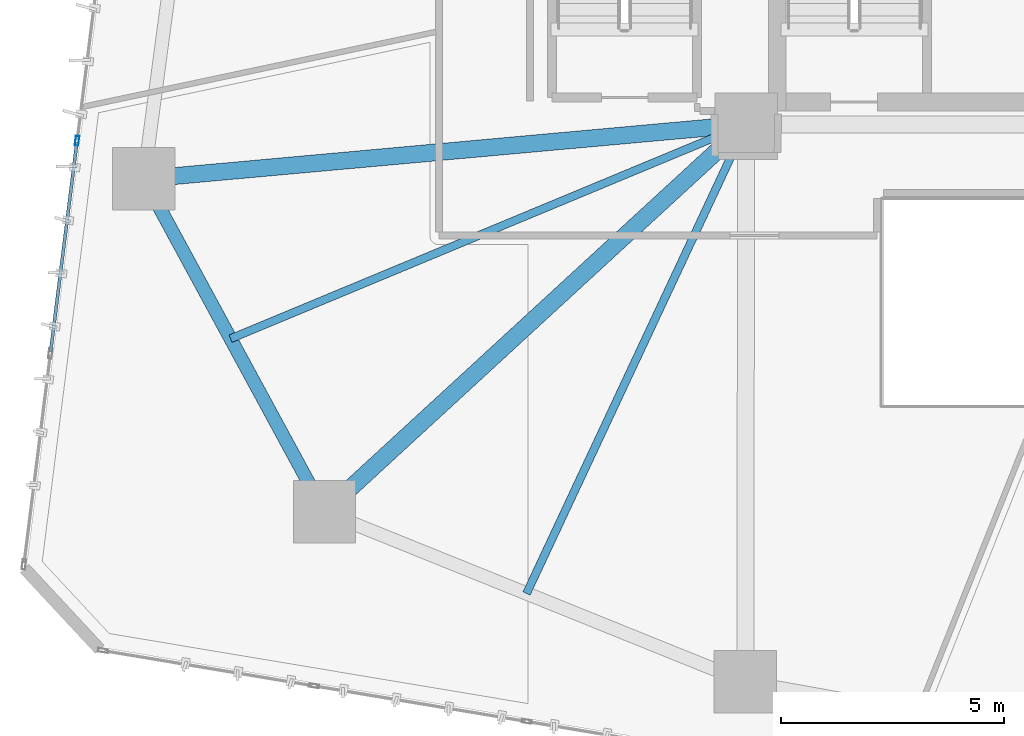
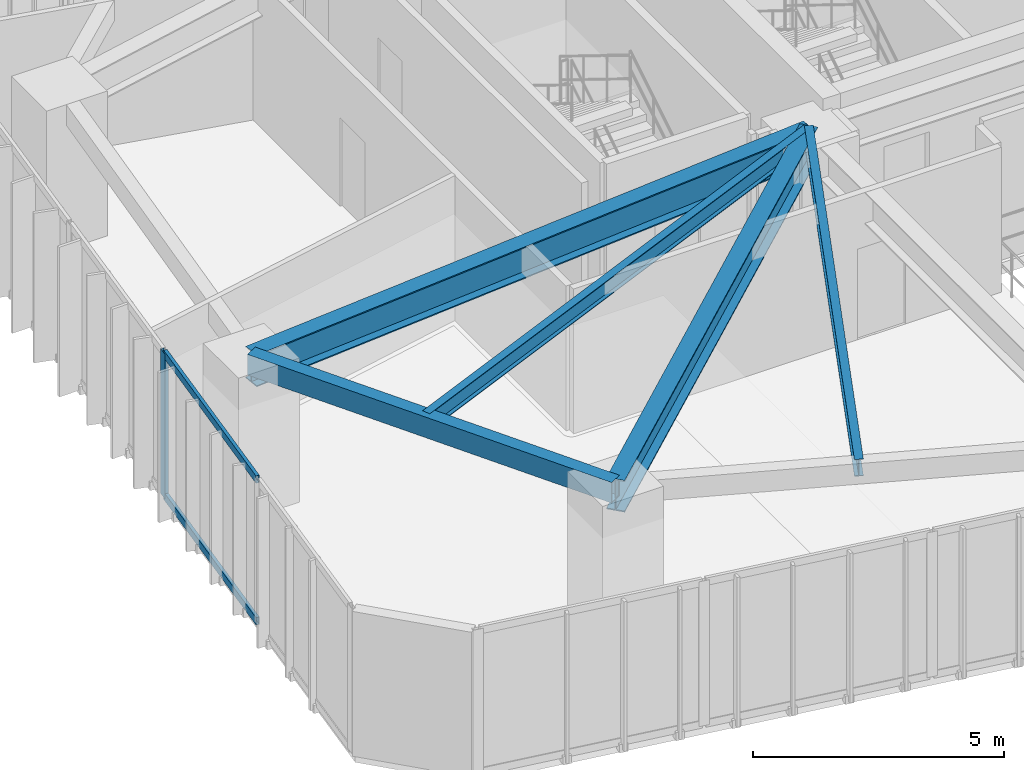
# One storey, part 3 of 21: 5 beams, 3 members, 1 element without a shape of its own.
"""IFC4 building model written with IfcOpenShell, lengths in metres."""

import ifcopenshell
import ifcopenshell.guid

model = None  # the IFC model being written
_history = None  # IfcOwnerHistory: only IFC2X3 demands one
_inside = {}  # id of a spatial element -> (the spatial element, [elements in it])
_under = {}  # id of a project, library or spatial element -> (it, [spatial elements below it])
_declared = {}  # id of a project -> (the project, [libraries it declares])
_typed = {}  # id of a type object -> (the type object, [elements of that type])
_made_of = {}  # id of a material, layer set ... -> (it, [elements and type objects made of it])


def new_model(schema):
    """Start an empty IFC model of exactly this schema.

    Asked for "IFC4X3", IfcOpenShell would pick the latest addendum, in which some entities
    have other attributes; the version numbers below select the first issue.
    IFC2X3 requires an IfcOwnerHistory on every rooted entity: one is made here for all.
    """
    global model, _history
    if schema == "IFC4X3":
        model = ifcopenshell.file(schema_version=(4, 3, 0, 0))
    else:
        model = ifcopenshell.file(schema=schema)
    _inside.clear()
    _under.clear()
    _declared.clear()
    _typed.clear()
    _made_of.clear()
    _history = None
    if model.schema == "IFC2X3":
        org = make("IfcOrganization", Name="unknown")
        user = make(
            "IfcPersonAndOrganization",
            ThePerson=make("IfcPerson", FamilyName="unknown"),
            TheOrganization=org,
        )
        app = make(
            "IfcApplication",
            ApplicationDeveloper=org,
            Version="unknown",
            ApplicationFullName="unknown",
            ApplicationIdentifier="unknown",
        )
        _history = make(
            "IfcOwnerHistory",
            OwningUser=user,
            OwningApplication=app,
            ChangeAction="ADDED",
            CreationDate=0,
        )
    return model


def make(cls, **values):
    """One entity of the class cls with the attributes given. An attribute that is None is left unset."""
    return model.create_entity(
        cls, **{name: value for name, value in values.items() if value is not None}
    )


def rooted(cls, **values):
    """An entity with a GlobalId (a new one), such as an element, a storey or a relation."""
    return make(cls, GlobalId=ifcopenshell.guid.new(), OwnerHistory=_history, **values)


def si_unit(unit_type, name, prefix=None):
    """IfcSIUnit, for example si_unit("LENGTHUNIT", "METRE", prefix="MILLI")."""
    return make("IfcSIUnit", UnitType=unit_type, Prefix=prefix, Name=name)


def assignment(units):
    """IfcUnitAssignment: the units of a project."""
    return None if units is None else make("IfcUnitAssignment", Units=units)


def point(xyz):
    """IfcCartesianPoint."""
    return None if xyz is None else make("IfcCartesianPoint", Coordinates=xyz)


def direction(xyz):
    """IfcDirection."""
    return None if xyz is None else make("IfcDirection", DirectionRatios=xyz)


def frame(location, z_axis=None, x_axis=None):
    """IfcAxis2Placement3D, a coordinate frame: its origin and axes. An axis left out is left unset."""
    return make(
        "IfcAxis2Placement3D",
        Location=point(location),
        Axis=direction(z_axis),
        RefDirection=direction(x_axis),
    )


def frame_2d(location, x_axis=None):
    """IfcAxis2Placement2D, a coordinate frame in the plane: its origin and x axis."""
    return make(
        "IfcAxis2Placement2D", Location=point(location), RefDirection=direction(x_axis)
    )


def origin():
    """The frame at (0, 0, 0) with its axes left unset."""
    return frame((0.0, 0.0, 0.0))


def origin_2d():
    """The frame at (0, 0) in the plane with its x axis left unset."""
    return frame_2d((0.0, 0.0))


def place(relative_to, where):
    """IfcLocalPlacement: puts the frame where relative to a parent placement (None: the world)."""
    return make(
        "IfcLocalPlacement", PlacementRelTo=relative_to, RelativePlacement=where
    )


def context(
    kind, dimensions, precision=None, world=None, true_north=None, identifier=None
):
    """IfcGeometricRepresentationContext, for example the 3D "Model" context."""
    return make(
        "IfcGeometricRepresentationContext",
        ContextIdentifier=identifier,
        ContextType=kind,
        CoordinateSpaceDimension=dimensions,
        Precision=precision,
        WorldCoordinateSystem=world,
        TrueNorth=true_north,
    )


def subcontext(parent, identifier, kind, view, scale=None):
    """IfcGeometricRepresentationSubContext, for example "Body" below "Model"."""
    return make(
        "IfcGeometricRepresentationSubContext",
        ContextIdentifier=identifier,
        ContextType=kind,
        ParentContext=parent,
        TargetScale=scale,
        TargetView=view,
    )


def project(units=None, contexts=None):
    """IfcProject with its units and contexts."""
    return rooted(
        "IfcProject",
        Name="project",
        RepresentationContexts=contexts,
        UnitsInContext=assignment(units),
    )


def spatial(cls, under=None, at=None, **own):
    """A site, building, storey or space (cls), placed at a placement, below another one or the project."""
    s = rooted(cls, ObjectPlacement=at, **own)
    if under is not None:
        _under.setdefault(under.id(), (under, []))[1].append(s)
    return s


def profile(cls, at=None, kind="AREA", **sizes):
    """A parametric profile (cls). Its sizes go by their IFC names, for example OverallWidth=200.0."""
    return make(cls, ProfileType=kind, Position=at, **sizes)


def hollow_rectangle(**sizes):
    """IfcRectangleHollowProfileDef."""
    return profile("IfcRectangleHollowProfileDef", **sizes)


def i_section(**sizes):
    """IfcIShapeProfileDef."""
    return profile("IfcIShapeProfileDef", **sizes)


def extrude(swept, where, along, depth):
    """IfcExtrudedAreaSolid: the profile swept, set in the frame where, extruded along a direction by depth."""
    return make(
        "IfcExtrudedAreaSolid",
        SweptArea=swept,
        Position=where,
        ExtrudedDirection=direction(along),
        Depth=depth,
    )


def shape(context_of_items, identifier, shape_type, items):
    """IfcShapeRepresentation: the items that make up one representation, for example the "Body"."""
    return make(
        "IfcShapeRepresentation",
        ContextOfItems=context_of_items,
        RepresentationIdentifier=identifier,
        RepresentationType=shape_type,
        Items=items,
    )


def source(mapping_origin, context_of_items, identifier, shape_type, items):
    """IfcRepresentationMap: a shape defined once, which mapped items show again and again."""
    return make(
        "IfcRepresentationMap",
        MappingOrigin=mapping_origin,
        MappedRepresentation=shape(context_of_items, identifier, shape_type, items),
    )


def transform(
    local_origin,
    x_axis=None,
    y_axis=None,
    z_axis=None,
    scale=None,
    scale2=None,
    scale3=None,
    uniform=True,
):
    """IfcCartesianTransformationOperator3D, or its non-uniform kind. x_axis, y_axis, z_axis: its Axis1, 2, 3."""
    if uniform:
        return make(
            "IfcCartesianTransformationOperator3D",
            Axis1=direction(x_axis),
            Axis2=direction(y_axis),
            LocalOrigin=point(local_origin),
            Scale=scale,
            Axis3=direction(z_axis),
        )
    return make(
        "IfcCartesianTransformationOperator3DnonUniform",
        Axis1=direction(x_axis),
        Axis2=direction(y_axis),
        LocalOrigin=point(local_origin),
        Scale=scale,
        Axis3=direction(z_axis),
        Scale2=scale2,
        Scale3=scale3,
    )


def mapped(mapping_source, mapping_target):
    """IfcMappedItem: shows the shape of a source again, moved by a transform."""
    return make(
        "IfcMappedItem", MappingSource=mapping_source, MappingTarget=mapping_target
    )


def material(Name=None, Category=None):
    """IfcMaterial."""
    return make("IfcMaterial", Name=Name, Category=Category)


def layer(
    of_material, thickness, ventilated=None, Name=None, Category=None, Priority=None
):
    """IfcMaterialLayer: one layer of a wall or slab, of a material (None: an air gap)."""
    return make(
        "IfcMaterialLayer",
        Material=of_material,
        LayerThickness=thickness,
        IsVentilated=ventilated,
        Name=Name,
        Category=Category,
        Priority=Priority,
    )


def layer_set(layers, Name=None):
    """IfcMaterialLayerSet."""
    return make("IfcMaterialLayerSet", MaterialLayers=layers, LayerSetName=Name)


def material_profile(
    of_material, cross_section, Name=None, Category=None, Priority=None
):
    """IfcMaterialProfile: a cross section and its material."""
    return make(
        "IfcMaterialProfile",
        Name=Name,
        Material=of_material,
        Profile=cross_section,
        Priority=Priority,
        Category=Category,
    )


def profile_set(profiles, Name=None, composite=None):
    """IfcMaterialProfileSet."""
    return make(
        "IfcMaterialProfileSet",
        Name=Name,
        MaterialProfiles=profiles,
        CompositeProfile=composite,
    )


def made_of(thing, what):
    """Note that an element or type object is made of a material, layer set ...; save() writes the relation."""
    if what is not None:
        _made_of.setdefault(what.id(), (what, []))[1].append(thing)
    return thing


def type_object(cls, material=None, **own):
    """A type object (cls), such as IfcWallType, which elements share."""
    return made_of(rooted(cls, **own), material)


def type_shapes(of_type, sources):
    """Give a type object the sources (RepresentationMaps) that its elements show as mapped items."""
    of_type.RepresentationMaps = sources


def element(
    cls,
    number,
    at=None,
    inside=None,
    cuts=None,
    type_object=None,
    material=None,
    context=None,
    identifier="Body",
    shape_type=None,
    held_by="IfcProductDefinitionShape",
    body=None,
    shapes=None,
    **own,
):
    """One element of the class cls, such as IfcWall. Its Tag is "e" and its number.

    at: its placement. inside: the storey or other place that contains it. cuts: it is an
    opening in that element (IfcRelVoidsElement). A single representation is given by context,
    identifier, shape_type and body (its items); several are given by shapes. held_by: the class
    of the entity that holds the representations. save() writes the other relations.
    """
    e = rooted(cls, Tag="e%d" % number, ObjectPlacement=at, **own)
    if body is not None:
        shapes = [shape(context, identifier, shape_type, body)]
    if shapes is not None:
        e.Representation = make(held_by, Representations=shapes)
    if inside is not None:
        _inside.setdefault(inside.id(), (inside, []))[1].append(e)
    if cuts is not None:
        rooted(
            "IfcRelVoidsElement", RelatingBuildingElement=cuts, RelatedOpeningElement=e
        )
    if type_object is not None:
        _typed.setdefault(type_object.id(), (type_object, []))[1].append(e)
    return made_of(e, material)


def aggregate(whole, parts):
    """IfcRelAggregates: a whole, such as a stair, and the parts it consists of."""
    return rooted("IfcRelAggregates", RelatingObject=whole, RelatedObjects=parts)


def save(model, path):
    """Write the relations noted so far, then the file.

    IfcRelAggregates (storeys below a building ...), IfcRelContainedInSpatialStructure (elements
    in a storey), IfcRelDefinesByType, IfcRelAssociatesMaterial and IfcRelDeclares: one each for
    every whole, place, type object, material and project.
    """
    for whole, parts in _under.values():
        aggregate(whole, parts)
    for where, things in _inside.values():
        rooted(
            "IfcRelContainedInSpatialStructure",
            RelatedElements=things,
            RelatingStructure=where,
        )
    for kind, things in _typed.values():
        rooted("IfcRelDefinesByType", RelatedObjects=things, RelatingType=kind)
    for what, things in _made_of.values():
        rooted("IfcRelAssociatesMaterial", RelatedObjects=things, RelatingMaterial=what)
    for by, libraries in _declared.values():
        rooted("IfcRelDeclares", RelatingContext=by, RelatedDefinitions=libraries)
    model.write(path)


model = new_model("IFC4")

# Units and contexts
model_context = context("Model", 3, precision=1e-05, world=origin(), true_north=direction((0.0, 1.0)))
body_context = subcontext(model_context, "Body", "Model", "MODEL_VIEW")
ifc_project = project(units=[si_unit("LENGTHUNIT", "METRE"), si_unit("AREAUNIT", "SQUARE_METRE"), si_unit("VOLUMEUNIT", "CUBIC_METRE"), si_unit("PLANEANGLEUNIT", "RADIAN"), si_unit("MASSUNIT", "GRAM", prefix="KILO")], contexts=[model_context])

# Site, building, storey
site_placement = place(None, origin())
site = spatial("IfcSite", under=ifc_project, at=site_placement, CompositionType="ELEMENT")
building_placement = place(site_placement, origin())
building = spatial("IfcBuilding", under=site, at=building_placement, Name="Talar Marvaseh", CompositionType="ELEMENT")
storey_placement = place(building_placement, frame((0.0, 0.0, 62.0)))
storey = spatial("IfcBuildingStorey", under=building, at=storey_placement, Name="L15", CompositionType="ELEMENT", Elevation=62.0)

# Beams
ifc_material_1 = material(Name="Steel S355", Category="steel")
ifc_material_profile_1 = material_profile(ifc_material_1, hollow_rectangle(XDim=0.300048828125, YDim=0.5, WallThickness=0.02001953125, at=origin_2d()), Name="RHS500x300x20")
ifc_profile_set_1 = profile_set([ifc_material_profile_1], Name="Steel S355")
beam_type_1 = type_object("IfcBeamType", Name="Zone 1 Perimeter Spandrel Beam RHS500x300x20", PredefinedType="SPANDREL", material=ifc_profile_set_1)
beam_1_placement = place(storey_placement, frame((9.23193359375, 16.7958984375, 3.27001953125), z_axis=(-0.476758155578, 0.879034505062, 0.0), x_axis=(-0.879034505062, -0.476758155578, 0.0)))
element("IfcBeam", 1, at=beam_1_placement, inside=storey, type_object=beam_type_1, Name="L15 Zone 1 Perimeter Spandrel Beam RHS500x300x20", PredefinedType="SPANDREL", context=body_context, shape_type="SweptSolid", body=[
    extrude(hollow_rectangle(XDim=0.300048828125, YDim=0.5, WallThickness=0.02001953125, at=origin_2d()), origin(), (0.0, 0.0, 1.0), 8.50927734375),
])
ifc_material_profile_2 = material_profile(ifc_material_1, i_section(OverallWidth=0.381103515625, OverallDepth=0.77294921875, WebThickness=0.0166015625, FlangeThickness=0.027099609375, at=origin_2d()), Name="W760x257")
ifc_profile_set_2 = profile_set([ifc_material_profile_2], Name="Steel S355")
beam_type_2 = type_object("IfcBeamType", Name="Zone 1 Radial Floor Girder W760x257", PredefinedType="BEAM", material=ifc_profile_set_2)
beam_2_placement = place(storey_placement, frame((9.23193359375, 16.7958984375, 3.133544921875), z_axis=(0.736181804049, 0.676783829142, 0.0), x_axis=(-0.676783829142, 0.736181804049, 0.0)))
element("IfcBeam", 2, at=beam_2_placement, inside=storey, type_object=beam_type_2, Name="L15 Zone 1 Radial Floor Girder W760x257", PredefinedType="BEAM", context=body_context, shape_type="SweptSolid", body=[
    extrude(i_section(OverallWidth=0.381103515625, OverallDepth=0.77294921875, WebThickness=0.0166015625, FlangeThickness=0.027099609375, at=origin_2d()), origin(), (0.0, 0.0, 1.0), 12.861083984375),
])
beam_3_placement = place(storey_placement, frame((5.175048828125, 24.27587890625, 3.133544921875), z_axis=(0.995929083348, 0.090140229321, 0.0), x_axis=(-0.090140229321, 0.995929083348, 0.0)))
element("IfcBeam", 3, at=beam_3_placement, inside=storey, type_object=beam_type_2, Name="L15 Zone 1 Radial Floor Girder W760x257", PredefinedType="BEAM", context=body_context, shape_type="SweptSolid", body=[
    extrude(i_section(OverallWidth=0.381103515625, OverallDepth=0.77294921875, WebThickness=0.0166015625, FlangeThickness=0.027099609375, at=origin_2d()), origin(), (0.0, 0.0, 1.0), 13.580078125),
])
ifc_material_profile_3 = material_profile(ifc_material_1, i_section(OverallWidth=0.179931640625, OverallDepth=0.4130859375, WebThickness=0.009765625, FlangeThickness=0.01611328125, at=origin_2d()), Name="W410x75")
ifc_profile_set_3 = profile_set([ifc_material_profile_3], Name="Steel S355")
beam_type_3 = type_object("IfcBeamType", Name="Zone 1 Secondary Floor Joist W410x75", PredefinedType="JOIST", material=ifc_profile_set_3)
beam_4_placement = place(storey_placement, frame((13.7685546875, 14.9638671875, 3.3134765625), z_axis=(0.423911170159, 0.905703770454, 0.0), x_axis=(-0.905703770454, 0.423911170159, 0.0)))
element("IfcBeam", 4, at=beam_4_placement, inside=storey, type_object=beam_type_3, Name="L15 Zone 1 Secondary Floor Joist W410x75", PredefinedType="JOIST", context=body_context, shape_type="SweptSolid", body=[
    extrude(i_section(OverallWidth=0.179931640625, OverallDepth=0.4130859375, WebThickness=0.009765625, FlangeThickness=0.01611328125, at=origin_2d()), origin(), (0.0, 0.0, 1.0), 11.633056640625),
])
beam_5_placement = place(storey_placement, frame((7.122314453125, 20.685546875, 3.3134765625), z_axis=(0.923347443105, 0.383965492346, 0.0), x_axis=(-0.383965492346, 0.923347443105, 0.0)))
element("IfcBeam", 5, at=beam_5_placement, inside=storey, type_object=beam_type_3, Name="L15 Zone 1 Secondary Floor Joist W410x75", PredefinedType="JOIST", context=body_context, shape_type="SweptSolid", body=[
    extrude(i_section(OverallWidth=0.179931640625, OverallDepth=0.4130859375, WebThickness=0.009765625, FlangeThickness=0.01611328125, at=origin_2d()), origin(), (0.0, 0.0, 1.0), 12.538818359375),
])

# Curtain wall, members
ifc_material_2 = material(Name="Architectural Aluminium", Category="aluminium")
ifc_layer = layer(ifc_material_2, 0.219970703125)
ifc_layer_set = layer_set([ifc_layer], Name="Architectural Aluminium")
curtain_wall_type = type_object("IfcCurtainWallType", Name="Unitised Low-E Museum Curtain Wall Z1", PredefinedType="NOTDEFINED", material=ifc_layer_set)
curtain_wall_placement = place(storey_placement, origin())
curtain_wall = element("IfcCurtainWall", 6, at=curtain_wall_placement, inside=storey, type_object=curtain_wall_type, Name="L15 Unitised Low-E Museum Curtain Wall Z1", PredefinedType="NOTDEFINED")
ifc_material_profile_4 = material_profile(ifc_material_2, hollow_rectangle(XDim=0.080078125, YDim=0.219970703125, WallThickness=0.0048828125, at=origin_2d()), Name="RHS220x80x5")
ifc_profile_set_4 = profile_set([ifc_material_profile_4], Name="Architectural Aluminium")
member_type_1 = type_object("IfcMemberType", Name="Unitised Curtain Wall Heavy Mullion RHS220x80x5", PredefinedType="MULLION", material=ifc_profile_set_4)
shared_shape_1 = source(origin(), body_context, "Body", "SweptSolid", [
    extrude(hollow_rectangle(XDim=0.080078125, YDim=0.219970703125, WallThickness=0.0048828125, at=origin_2d()), origin(), (0.0, 0.0, 1.0), 3.52001953125),
])
type_shapes(member_type_1, [shared_shape_1])
member_1_placement = place(storey_placement, frame((3.6767578125, 25.132568359375, 0.0), z_axis=(0.0, 0.0, 1.0), x_axis=(-0.992215547437, 0.124532354927, 0.0)))
member_1 = element("IfcMember", 7, at=member_1_placement, type_object=member_type_1, Name="CW-Z1 mullion 3", PredefinedType="MULLION", context=body_context, shape_type="MappedRepresentation", body=[
    mapped(shared_shape_1, transform((0.0, 0.0, 0.0), x_axis=(1.0, 0.0, 0.0), y_axis=(0.0, 1.0, 0.0), z_axis=(0.0, 0.0, 1.0), scale=1.0)),
])
ifc_material_profile_5 = material_profile(ifc_material_2, hollow_rectangle(XDim=0.074951171875, YDim=0.179931640625, WallThickness=0.0048828125, at=origin_2d()), Name="RHS180x75x5")
ifc_profile_set_5 = profile_set([ifc_material_profile_5], Name="Architectural Aluminium")
member_type_2 = type_object("IfcMemberType", Name="Unitised Curtain Wall Transom RHS180x75x5", PredefinedType="USERDEFINED", material=ifc_profile_set_5)
shared_shape_2 = source(origin(), body_context, "Body", "SweptSolid", [
    extrude(hollow_rectangle(XDim=0.074951171875, YDim=0.179931640625, WallThickness=0.0048828125, at=origin_2d()), origin(), (0.0, 0.0, 1.0), 4.736572265625),
])
type_shapes(member_type_2, [shared_shape_2])
member_2_placement = place(storey_placement, frame((3.08203125, 20.39306640625, 0.03759765625), z_axis=(0.124529538526, 0.992215900918, 0.0), x_axis=(-0.992215900918, 0.124529538526, 0.0)))
member_2 = element("IfcMember", 8, at=member_2_placement, type_object=member_type_2, Name="CW-Z1 transom 2.1", ObjectType="TRANSOM", PredefinedType="USERDEFINED", context=body_context, shape_type="MappedRepresentation", body=[
    mapped(shared_shape_2, transform((0.0, 0.0, 0.0), x_axis=(1.0, 0.0, 0.0), y_axis=(0.0, 1.0, 0.0), z_axis=(0.0, 0.0, 1.0), scale=1.0)),
])
member_3_placement = place(storey_placement, frame((3.08203125, 20.39306640625, 3.482421875), z_axis=(0.124529538526, 0.992215900918, 0.0), x_axis=(-0.992215900918, 0.124529538526, 0.0)))
member_3 = element("IfcMember", 9, at=member_3_placement, type_object=member_type_2, Name="CW-Z1 transom 2.2", ObjectType="TRANSOM", PredefinedType="USERDEFINED", context=body_context, shape_type="MappedRepresentation", body=[
    mapped(shared_shape_2, transform((0.0, 0.0, 0.0), x_axis=(1.0, 0.0, 0.0), y_axis=(0.0, 1.0, 0.0), z_axis=(0.0, 0.0, 1.0), scale=1.0)),
])
aggregate(curtain_wall, [member_1, member_2, member_3])

save(model, "model.ifc")
